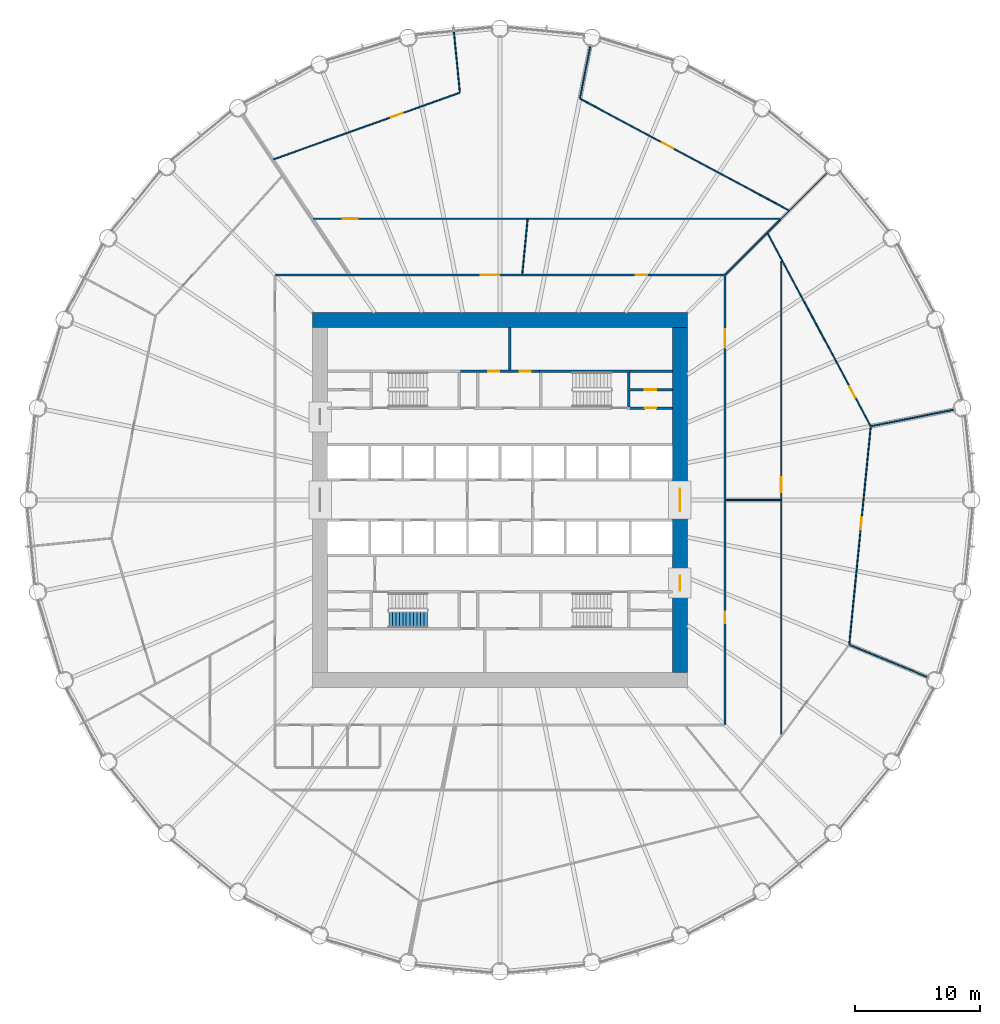
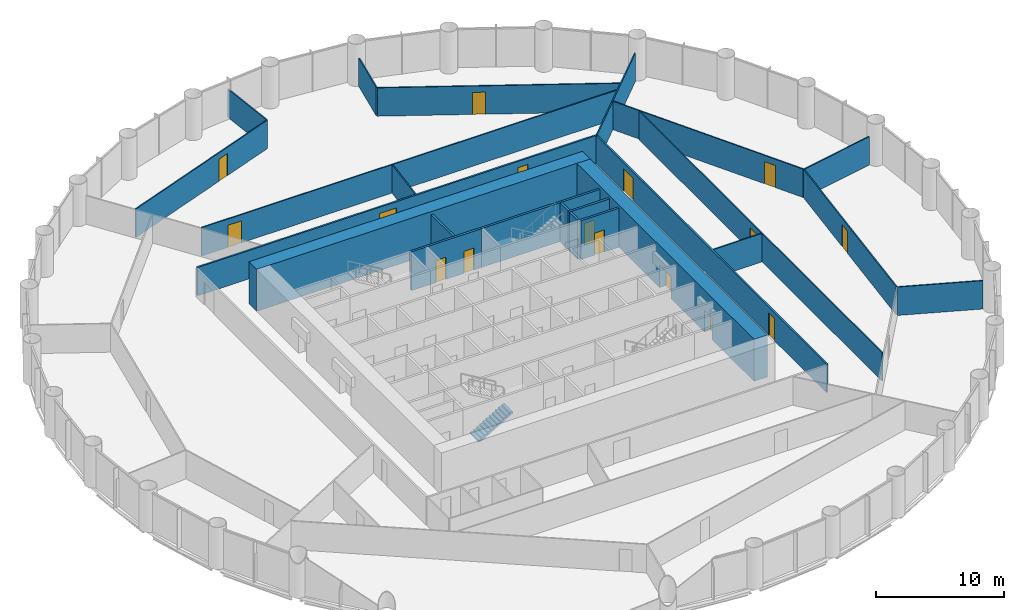
# One storey, part 13 of 15: 25 walls, 16 doors, 1 stair flight, 16 openings, 1 element without a shape of its own.
"""IFC4 building model written with IfcOpenShell, lengths in metres."""

from ifc_helpers import new_model, si_unit, direction, frame, frame_2d, origin, place, context, subcontext, project, spatial, polyline, rectangle, outline, extrude, material, layer, layer_set, type_object, element, fill, aggregate, save


model = new_model("IFC4")

# Units and contexts
model_context = context("Model", 3, precision=1e-05, world=origin(), true_north=direction((0.0, 1.0)))
body_context = subcontext(model_context, "Body", "Model", "MODEL_VIEW")
ifc_project = project(units=[si_unit("LENGTHUNIT", "METRE"), si_unit("AREAUNIT", "SQUARE_METRE"), si_unit("VOLUMEUNIT", "CUBIC_METRE"), si_unit("PLANEANGLEUNIT", "RADIAN"), si_unit("MASSUNIT", "GRAM", prefix="KILO")], contexts=[model_context])

# Site, building, storey
site_placement = place(None, origin())
site = spatial("IfcSite", under=ifc_project, at=site_placement, CompositionType="ELEMENT")
building_placement = place(site_placement, origin())
building = spatial("IfcBuilding", under=site, at=building_placement, Name="Corvane Civic Tower", CompositionType="ELEMENT")
storey_placement = place(building_placement, frame((0.0, 0.0, 41.0)))
storey = spatial("IfcBuildingStorey", under=building, at=storey_placement, Name="L08", CompositionType="ELEMENT", Elevation=41.0)

# Wall
ifc_material_1 = material(Name="Concrete C80/95", Category="concrete")
ifc_layer_1 = layer(ifc_material_1, 1.199951171875)
ifc_layer_set_1 = layer_set([ifc_layer_1], Name="Concrete C80/95")
wall_type_1 = type_object("IfcWallType", Name="CORE WALL 1200 C80/95", PredefinedType="SHEAR", material=ifc_layer_set_1)
wall_1_placement = place(storey_placement, frame((-15.0, 14.39990234375, 0.0), z_axis=(0.0, 0.0, 1.0), x_axis=(1.0, 0.0, 0.0)))
element("IfcWall", 1, at=wall_1_placement, inside=storey, type_object=wall_type_1, Name="W-L08-core-N", PredefinedType="SHEAR", context=body_context, shape_type="SweptSolid", body=[
    extrude(rectangle(XDim=30.0, YDim=1.199951171875, at=frame_2d((15.0, 0.0))), origin(), (0.0, 0.0, 1.0), 4.0),
])

# Wall, openings, doors
wall_2_placement = place(storey_placement, frame((14.39990234375, -13.800048828125, 0.0), z_axis=(0.0, 0.0, 1.0), x_axis=(0.0, 1.0, 0.0)))
wall_2 = element("IfcWall", 2, at=wall_2_placement, inside=storey, type_object=wall_type_1, Name="W-L08-core-E", PredefinedType="SHEAR", context=body_context, shape_type="SweptSolid", body=[
    extrude(rectangle(XDim=27.60009765625, YDim=1.199951171875, at=frame_2d((13.800048828125, 0.0))), origin(), (0.0, 0.0, 1.0), 4.0),
])
opening_1_placement = place(wall_2_placement, frame((12.89990234375, 0.0, 0.0)))
opening_1 = element("IfcOpeningElement", 3, at=opening_1_placement, cuts=wall_2, Name="Opening L08.C27", PredefinedType="OPENING", context=body_context, shape_type="SweptSolid", body=[
    extrude(rectangle(XDim=1.800048828125, YDim=2.10009765625, at=frame_2d((0.89990234375, 1.050048828125))), frame((0.0, 0.60986328125, 0.0), z_axis=(0.0, -1.0, 0.0), x_axis=(1.0, 0.0, 0.0)), (0.0, 0.0, 1.0), 1.219970703125),
])
opening_2_placement = place(wall_2_placement, frame((6.550048828125, 0.0, 0.0)))
opening_2 = element("IfcOpeningElement", 4, at=opening_2_placement, cuts=wall_2, Name="Opening L08.C29", PredefinedType="OPENING", context=body_context, shape_type="SweptSolid", body=[
    extrude(rectangle(XDim=1.199951171875, YDim=2.10009765625, at=frame_2d((0.60009765625, 1.050048828125))), frame((0.0, 0.60986328125, 0.0), z_axis=(0.0, -1.0, 0.0), x_axis=(1.0, 0.0, 0.0)), (0.0, 0.0, 1.0), 1.219970703125),
])
ifc_material_2 = material(Name="Steel fire door leaf", Category="steel")
door_type_1 = type_object("IfcDoorType", Name="CR-DOOR-CORE-1800", OperationType="DOUBLE_DOOR_SINGLE_SWING", PredefinedType="DOOR", material=ifc_material_2)
door_1_placement = place(opening_1_placement, origin())
door_1 = element("IfcDoor", 5, at=door_1_placement, inside=storey, type_object=door_type_1, Name="L08 door", OperationType="DOUBLE_DOOR_SINGLE_SWING", OverallHeight=2.10009765625, OverallWidth=1.800048828125, PredefinedType="DOOR", context=body_context, shape_type="SweptSolid", body=[
    extrude(rectangle(XDim=1.800048828125, YDim=2.10009765625, at=frame_2d((0.89990234375, 1.050048828125))), frame((0.0, 0.02490234375, 0.0), z_axis=(0.0, -1.0, 0.0), x_axis=(1.0, 0.0, 0.0)), (0.0, 0.0, 1.0), 0.050048828125),
])
fill(opening_1, door_1)
door_2_placement = place(opening_2_placement, origin())
door_2 = element("IfcDoor", 6, at=door_2_placement, inside=storey, type_object=door_type_1, Name="L08 door", OperationType="DOUBLE_DOOR_SINGLE_SWING", OverallHeight=2.10009765625, OverallWidth=1.199951171875, PredefinedType="DOOR", context=body_context, shape_type="SweptSolid", body=[
    extrude(rectangle(XDim=1.199951171875, YDim=2.10009765625, at=frame_2d((0.60009765625, 1.050048828125))), frame((0.0, 0.02490234375, 0.0), z_axis=(0.0, -1.0, 0.0), x_axis=(1.0, 0.0, 0.0)), (0.0, 0.0, 1.0), 0.050048828125),
])
fill(opening_2, door_2)

# Wall, opening, door
ifc_material_3 = material(Name="Concrete C30/37", Category="concrete")
ifc_layer_2 = layer(ifc_material_3, 0.199951171875)
ifc_layer_set_2 = layer_set([ifc_layer_2], Name="Concrete C30/37")
wall_type_2 = type_object("IfcWallType", Name="CR-WALL-200", PredefinedType="PARTITIONING", material=ifc_layer_set_2)
wall_3_placement = place(storey_placement, frame((10.39990234375, 7.35009765625, 0.0), z_axis=(0.0, 0.0, 1.0), x_axis=(1.0, 0.0, 0.0)))
wall_3 = element("IfcWall", 7, at=wall_3_placement, inside=storey, type_object=wall_type_2, Name="L08 core partition wall", PredefinedType="PARTITIONING", context=body_context, shape_type="SweptSolid", body=[
    extrude(rectangle(XDim=3.400146484375, YDim=0.199951171875, at=frame_2d((1.7001953125, 0.0))), origin(), (0.0, 0.0, 1.0), 3.699951171875),
])
opening_3_placement = place(wall_3_placement, frame((1.199951171875, 0.0, 0.0)))
opening_3 = element("IfcOpeningElement", 8, at=opening_3_placement, cuts=wall_3, Name="Opening L08.C15", PredefinedType="OPENING", context=body_context, shape_type="SweptSolid", body=[
    extrude(rectangle(XDim=0.89990234375, YDim=2.10009765625, at=frame_2d((0.449951171875, 1.050048828125))), frame((0.0, 0.10986328125, 0.0), z_axis=(0.0, -1.0, 0.0), x_axis=(1.0, 0.0, 0.0)), (0.0, 0.0, 1.0), 0.219970703125),
])
ifc_material_4 = material(Name="Steel fire door leaf", Category="steel")
door_type_2 = type_object("IfcDoorType", Name="CR-DOOR-900", OperationType="SINGLE_SWING_LEFT", PredefinedType="DOOR", material=ifc_material_4)
door_3_placement = place(opening_3_placement, origin())
door_3 = element("IfcDoor", 9, at=door_3_placement, inside=storey, type_object=door_type_2, Name="L08 door", OperationType="SINGLE_SWING_LEFT", OverallHeight=2.10009765625, OverallWidth=0.89990234375, PredefinedType="DOOR", context=body_context, shape_type="SweptSolid", body=[
    extrude(rectangle(XDim=0.89990234375, YDim=2.10009765625, at=frame_2d((0.449951171875, 1.050048828125))), frame((0.0, 0.02490234375, 0.0), z_axis=(0.0, -1.0, 0.0), x_axis=(1.0, 0.0, 0.0)), (0.0, 0.0, 1.0), 0.050048828125),
])
fill(opening_3, door_3)

wall_4_placement = place(storey_placement, frame((10.199951171875, 8.824951171875, 0.0), z_axis=(0.0, 0.0, 1.0), x_axis=(1.0, 0.0, 0.0)))
wall_4 = element("IfcWall", 10, at=wall_4_placement, inside=storey, type_object=wall_type_2, Name="L08 partition wall", PredefinedType="PARTITIONING", context=body_context, shape_type="SweptSolid", body=[
    extrude(rectangle(XDim=3.60009765625, YDim=0.199951171875, at=frame_2d((1.800048828125, 0.0))), origin(), (0.0, 0.0, 1.0), 3.699951171875),
])
opening_4_placement = place(wall_4_placement, frame((1.39990234375, 0.0, 0.0)))
opening_4 = element("IfcOpeningElement", 11, at=opening_4_placement, cuts=wall_4, Name="Opening L08.C16", PredefinedType="OPENING", context=body_context, shape_type="SweptSolid", body=[
    extrude(rectangle(XDim=0.89990234375, YDim=2.10009765625, at=frame_2d((0.449951171875, 1.050048828125))), frame((0.0, 0.10986328125, 0.0), z_axis=(0.0, -1.0, 0.0), x_axis=(1.0, 0.0, 0.0)), (0.0, 0.0, 1.0), 0.219970703125),
])
door_4_placement = place(opening_4_placement, origin())
door_4 = element("IfcDoor", 12, at=door_4_placement, inside=storey, type_object=door_type_2, Name="L08 door", OperationType="SINGLE_SWING_LEFT", OverallHeight=2.10009765625, OverallWidth=0.89990234375, PredefinedType="DOOR", context=body_context, shape_type="SweptSolid", body=[
    extrude(rectangle(XDim=0.89990234375, YDim=2.10009765625, at=frame_2d((0.449951171875, 1.050048828125))), frame((0.0, 0.02490234375, 0.0), z_axis=(0.0, -1.0, 0.0), x_axis=(1.0, 0.0, 0.0)), (0.0, 0.0, 1.0), 0.050048828125),
])
fill(opening_4, door_4)

# Wall, openings, doors
wall_5_placement = place(storey_placement, frame((-3.14990234375, 10.300048828125, 0.0), z_axis=(0.0, 0.0, 1.0), x_axis=(1.0, 0.0, 0.0)))
wall_5 = element("IfcWall", 13, at=wall_5_placement, inside=storey, type_object=wall_type_2, Name="L08 partition wall", PredefinedType="PARTITIONING", context=body_context, shape_type="SweptSolid", body=[
    extrude(rectangle(XDim=6.2998046875, YDim=0.199951171875, at=frame_2d((3.14990234375, 0.0))), origin(), (0.0, 0.0, 1.0), 3.699951171875),
])
opening_5_placement = place(wall_5_placement, frame((2.199951171875, 0.0, 0.0)))
opening_5 = element("IfcOpeningElement", 14, at=opening_5_placement, cuts=wall_5, Name="Opening L08.C06", PredefinedType="OPENING", context=body_context, shape_type="SweptSolid", body=[
    extrude(rectangle(XDim=0.89990234375, YDim=2.10009765625, at=frame_2d((0.449951171875, 1.050048828125))), frame((0.0, 0.10986328125, 0.0), z_axis=(0.0, -1.0, 0.0), x_axis=(1.0, 0.0, 0.0)), (0.0, 0.0, 1.0), 0.219970703125),
])
opening_6_placement = place(wall_5_placement, frame((4.72509765625, 0.0, 0.0)))
opening_6 = element("IfcOpeningElement", 15, at=opening_6_placement, cuts=wall_5, Name="Opening L08.C07", PredefinedType="OPENING", context=body_context, shape_type="SweptSolid", body=[
    extrude(rectangle(XDim=0.89990234375, YDim=2.10009765625, at=frame_2d((0.449951171875, 1.050048828125))), frame((0.0, 0.10986328125, 0.0), z_axis=(0.0, -1.0, 0.0), x_axis=(1.0, 0.0, 0.0)), (0.0, 0.0, 1.0), 0.219970703125),
])
door_5_placement = place(opening_5_placement, origin())
door_5 = element("IfcDoor", 16, at=door_5_placement, inside=storey, type_object=door_type_2, Name="L08 door", OperationType="SINGLE_SWING_LEFT", OverallHeight=2.10009765625, OverallWidth=0.89990234375, PredefinedType="DOOR", context=body_context, shape_type="SweptSolid", body=[
    extrude(rectangle(XDim=0.89990234375, YDim=2.10009765625, at=frame_2d((0.449951171875, 1.050048828125))), frame((0.0, 0.02490234375, 0.0), z_axis=(0.0, -1.0, 0.0), x_axis=(1.0, 0.0, 0.0)), (0.0, 0.0, 1.0), 0.050048828125),
])
fill(opening_5, door_5)
door_6_placement = place(opening_6_placement, origin())
door_6 = element("IfcDoor", 17, at=door_6_placement, inside=storey, type_object=door_type_2, Name="L08 door", OperationType="SINGLE_SWING_LEFT", OverallHeight=2.10009765625, OverallWidth=0.89990234375, PredefinedType="DOOR", context=body_context, shape_type="SweptSolid", body=[
    extrude(rectangle(XDim=0.89990234375, YDim=2.10009765625, at=frame_2d((0.449951171875, 1.050048828125))), frame((0.0, 0.02490234375, 0.0), z_axis=(0.0, -1.0, 0.0), x_axis=(1.0, 0.0, 0.0)), (0.0, 0.0, 1.0), 0.050048828125),
])
fill(opening_6, door_6)

# Walls
wall_6_placement = place(storey_placement, origin())
element("IfcWall", 18, at=wall_6_placement, inside=storey, type_object=wall_type_2, Name="L08 core partition wall", PredefinedType="PARTITIONING", context=body_context, shape_type="SweptSolid", body=[
    extrude(outline(polyline([(0.89990234375, 13.800048828125), (0.89990234375, 10.39990234375), (0.699951171875, 10.39990234375), (0.699951171875, 13.800048828125), (0.89990234375, 13.800048828125)])), origin(), (0.0, 0.0, 1.0), 3.699951171875),
])
wall_7_placement = place(storey_placement, origin())
element("IfcWall", 19, at=wall_7_placement, inside=storey, type_object=wall_type_2, Name="L08 core partition wall", PredefinedType="PARTITIONING", context=body_context, shape_type="SweptSolid", body=[
    extrude(outline(polyline([(10.39990234375, 10.199951171875), (10.39990234375, 10.39990234375), (13.800048828125, 10.39990234375), (13.800048828125, 10.199951171875), (10.39990234375, 10.199951171875)])), origin(), (0.0, 0.0, 1.0), 3.699951171875),
])

# Wall, opening, door
ifc_material_5 = material(Name="Plasterboard")
ifc_layer_3 = layer(ifc_material_5, 0.10009765625)
ifc_layer_set_3 = layer_set([ifc_layer_3], Name="Plasterboard")
wall_type_3 = type_object("IfcWallType", Name="Partition 100 plasterboard on studs", PredefinedType="PARTITIONING", material=ifc_layer_set_3)
wall_8_placement = place(storey_placement, frame((22.5, -18.7548828125, 0.0), z_axis=(0.0, 0.0, 1.0), x_axis=(0.0, 1.0, 0.0)))
wall_8 = element("IfcWall", 20, at=wall_8_placement, inside=storey, type_object=wall_type_3, Name="Partition L08.014", PredefinedType="PARTITIONING", context=body_context, shape_type="SweptSolid", body=[
    extrude(rectangle(XDim=37.850341796875, YDim=0.10009765625, at=frame_2d((18.92529296875, 0.0))), origin(), (0.0, 0.0, 1.0), 2.699951171875),
])
opening_7_placement = place(wall_8_placement, frame((19.369873046875, 0.0, 0.0)))
opening_7 = element("IfcOpeningElement", 21, at=opening_7_placement, cuts=wall_8, Name="Opening L08.004", PredefinedType="OPENING", context=body_context, shape_type="SweptSolid", body=[
    extrude(rectangle(XDim=1.199951171875, YDim=2.10009765625, at=frame_2d((0.60009765625, 1.050048828125))), frame((0.0, 0.06005859375, 0.0), z_axis=(0.0, -1.0, 0.0), x_axis=(1.0, 0.0, 0.0)), (0.0, 0.0, 1.0), 0.1201171875),
])
ifc_material_6 = material(Name="Timber", Category="wood")
door_type_3 = type_object("IfcDoorType", Name="Double door 1200", OperationType="NOTDEFINED", PredefinedType="DOOR", material=ifc_material_6)
door_7_placement = place(opening_7_placement, frame((1.199951171875, 0.0, 0.0), z_axis=(0.0, 0.0, 1.0), x_axis=(-1.0, 0.0, 0.0)))
door_7 = element("IfcDoor", 22, at=door_7_placement, inside=storey, type_object=door_type_3, Name="Door L08.004", OperationType="DOUBLE_DOOR_SINGLE_SWING", OverallHeight=2.10009765625, OverallWidth=1.199951171875, PredefinedType="DOOR", context=body_context, shape_type="SweptSolid", body=[
    extrude(rectangle(XDim=1.199951171875, YDim=2.10009765625, at=frame_2d((0.60009765625, 1.050048828125))), frame((0.0, 0.02490234375, 0.0), z_axis=(0.0, -1.0, 0.0), x_axis=(1.0, 0.0, 0.0)), (0.0, 0.0, 1.0), 0.050048828125),
])
fill(opening_7, door_7)

# Wall
wall_9_placement = place(storey_placement, frame((27.97509765625, -11.587646484375, 0.0), z_axis=(0.0, 0.0, 1.0), x_axis=(0.923875811924, -0.382692414533, 0.0)))
element("IfcWall", 23, at=wall_9_placement, inside=storey, type_object=wall_type_3, Name="Partition L08.020", PredefinedType="PARTITIONING", context=body_context, shape_type="SweptSolid", body=[
    extrude(rectangle(XDim=6.7099609375, YDim=0.10009765625, at=frame_2d((3.35498046875, 0.0))), origin(), (0.0, 0.0, 1.0), 2.699951171875),
])

# Wall, opening, door
wall_10_placement = place(storey_placement, frame((27.942626953125, -11.535888671875, 0.0), z_axis=(0.0, 0.0, 1.0), x_axis=(0.098017280566, 0.99518471286, 0.0)))
wall_10 = element("IfcWall", 24, at=wall_10_placement, inside=storey, type_object=wall_type_3, Name="Partition L08.021", PredefinedType="PARTITIONING", context=body_context, shape_type="SweptSolid", body=[
    extrude(rectangle(XDim=17.48291015625, YDim=0.10009765625, at=frame_2d((8.741455078125, 0.0))), origin(), (0.0, 0.0, 1.0), 2.699951171875),
])
opening_8_placement = place(wall_10_placement, frame((9.19873046875, 0.0, 0.0)))
opening_8 = element("IfcOpeningElement", 25, at=opening_8_placement, cuts=wall_10, Name="Opening L08.002", PredefinedType="OPENING", context=body_context, shape_type="SweptSolid", body=[
    extrude(rectangle(XDim=1.0, YDim=2.10009765625, at=frame_2d((0.5, 1.050048828125))), frame((0.0, 0.06005859375, 0.0), z_axis=(0.0, -1.0, 0.0), x_axis=(1.0, 0.0, 0.0)), (0.0, 0.0, 1.0), 0.1201171875),
])
ifc_material_7 = material(Name="Timber", Category="wood")
door_type_4 = type_object("IfcDoorType", Name="Single door 1000", OperationType="NOTDEFINED", PredefinedType="DOOR", material=ifc_material_7)
door_8_placement = place(opening_8_placement, frame((1.0, 0.0, 0.0), z_axis=(0.0, 0.0, 1.0), x_axis=(-1.0, 0.0, 0.0)))
door_8 = element("IfcDoor", 26, at=door_8_placement, inside=storey, type_object=door_type_4, Name="Door L08.002", OperationType="SINGLE_SWING_LEFT", OverallHeight=2.10009765625, OverallWidth=1.0, PredefinedType="DOOR", context=body_context, shape_type="SweptSolid", body=[
    extrude(rectangle(XDim=1.0, YDim=2.10009765625, at=frame_2d((0.5, 1.050048828125))), frame((0.0, 0.02490234375, 0.0), z_axis=(0.0, -1.0, 0.0), x_axis=(1.0, 0.0, 0.0)), (0.0, 0.0, 1.0), 0.050048828125),
])
fill(opening_8, door_8)

# Walls
wall_11_placement = place(storey_placement, frame((18.074951171875, 0.0, 0.0), z_axis=(0.0, 0.0, 1.0), x_axis=(1.0, 0.0, 0.0)))
element("IfcWall", 27, at=wall_11_placement, inside=storey, type_object=wall_type_3, Name="Partition L08.024", PredefinedType="PARTITIONING", context=body_context, shape_type="SweptSolid", body=[
    extrude(rectangle(XDim=4.375, YDim=0.10009765625, at=frame_2d((2.1875, 0.0))), origin(), (0.0, 0.0, 1.0), 2.699951171875),
])
wall_12_placement = place(storey_placement, frame((29.6962890625, 5.906982421875, 0.0), z_axis=(0.0, 0.0, 1.0), x_axis=(0.980788572794, 0.195073769318, 0.0)))
element("IfcWall", 28, at=wall_12_placement, inside=storey, type_object=wall_type_3, Name="Partition L08.025", PredefinedType="PARTITIONING", context=body_context, shape_type="SweptSolid", body=[
    extrude(rectangle(XDim=6.7119140625, YDim=0.10009765625, at=frame_2d((3.35595703125, 0.0))), origin(), (0.0, 0.0, 1.0), 2.699951171875),
])

# Wall, opening, door
wall_13_placement = place(storey_placement, frame((21.415283203125, 21.32421875, 0.0), z_axis=(0.0, 0.0, 1.0), x_axis=(0.471393967078, -0.881922744804, 0.0)))
wall_13 = element("IfcWall", 29, at=wall_13_placement, inside=storey, type_object=wall_type_3, Name="Partition L08.026", PredefinedType="PARTITIONING", context=body_context, shape_type="SweptSolid", body=[
    extrude(rectangle(XDim=17.45263671875, YDim=0.10009765625, at=frame_2d((8.726318359375, 0.0))), origin(), (0.0, 0.0, 1.0), 2.699951171875),
])
opening_9_placement = place(wall_13_placement, frame((13.89306640625, 0.0, 0.0)))
opening_9 = element("IfcOpeningElement", 30, at=opening_9_placement, cuts=wall_13, Name="Opening L08.001", PredefinedType="OPENING", context=body_context, shape_type="SweptSolid", body=[
    extrude(rectangle(XDim=1.0, YDim=2.10009765625, at=frame_2d((0.5, 1.050048828125))), frame((0.0, 0.06005859375, 0.0), z_axis=(0.0, -1.0, 0.0), x_axis=(1.0, 0.0, 0.0)), (0.0, 0.0, 1.0), 0.1201171875),
])
door_9_placement = place(opening_9_placement, origin())
door_9 = element("IfcDoor", 31, at=door_9_placement, inside=storey, type_object=door_type_4, Name="Door L08.001", OperationType="SINGLE_SWING_RIGHT", OverallHeight=2.10009765625, OverallWidth=1.0, PredefinedType="DOOR", context=body_context, shape_type="SweptSolid", body=[
    extrude(rectangle(XDim=1.0, YDim=2.10009765625, at=frame_2d((0.5, 1.050048828125))), frame((0.0, 0.02490234375, 0.0), z_axis=(0.0, -1.0, 0.0), x_axis=(1.0, 0.0, 0.0)), (0.0, 0.0, 1.0), 0.050048828125),
])
fill(opening_9, door_9)

# Walls
wall_14_placement = place(storey_placement, frame((18.0146484375, 18.0146484375, 0.0), z_axis=(0.0, 0.0, 1.0), x_axis=(0.707106781187, 0.707106781187, 0.0)))
element("IfcWall", 32, at=wall_14_placement, inside=storey, type_object=wall_type_3, Name="Partition L08.030", PredefinedType="PARTITIONING", context=body_context, shape_type="SweptSolid", body=[
    extrude(rectangle(XDim=11.513671875, YDim=0.10009765625, at=frame_2d((5.7568359375, 0.0))), origin(), (0.0, 0.0, 1.0), 2.699951171875),
])
wall_15_placement = place(storey_placement, frame((1.78076171875, 18.079833984375, 0.0), z_axis=(0.0, 0.0, 1.0), x_axis=(0.098015690998, 0.995184869418, 0.0)))
element("IfcWall", 33, at=wall_15_placement, inside=storey, type_object=wall_type_3, Name="Partition L08.031", PredefinedType="PARTITIONING", context=body_context, shape_type="SweptSolid", body=[
    extrude(rectangle(XDim=4.386474609375, YDim=0.10009765625, at=frame_2d((2.193359375, 0.0))), origin(), (0.0, 0.0, 1.0), 2.699951171875),
])

# Wall, opening, door
wall_16_placement = place(storey_placement, frame((-14.9404296875, 22.5, 0.0), z_axis=(0.0, 0.0, 1.0), x_axis=(1.0, 0.0, 0.0)))
wall_16 = element("IfcWall", 34, at=wall_16_placement, inside=storey, type_object=wall_type_3, Name="Partition L08.033", PredefinedType="PARTITIONING", context=body_context, shape_type="SweptSolid", body=[
    extrude(rectangle(XDim=37.31982421875, YDim=0.10009765625, at=frame_2d((18.659912109375, 0.0))), origin(), (0.0, 0.0, 1.0), 2.699951171875),
])
opening_10_placement = place(wall_16_placement, frame((2.369384765625, 0.0, 0.0)))
opening_10 = element("IfcOpeningElement", 35, at=opening_10_placement, cuts=wall_16, Name="Opening L08.022", PredefinedType="OPENING", context=body_context, shape_type="SweptSolid", body=[
    extrude(rectangle(XDim=1.199951171875, YDim=2.10009765625, at=frame_2d((0.60009765625, 1.050048828125))), frame((0.0, 0.06005859375, 0.0), z_axis=(0.0, -1.0, 0.0), x_axis=(1.0, 0.0, 0.0)), (0.0, 0.0, 1.0), 0.1201171875),
])
door_10_placement = place(opening_10_placement, origin())
door_10 = element("IfcDoor", 36, at=door_10_placement, inside=storey, type_object=door_type_3, Name="Door L08.022", OperationType="DOUBLE_DOOR_SINGLE_SWING", OverallHeight=2.10009765625, OverallWidth=1.199951171875, PredefinedType="DOOR", context=body_context, shape_type="SweptSolid", body=[
    extrude(rectangle(XDim=1.199951171875, YDim=2.10009765625, at=frame_2d((0.60009765625, 1.050048828125))), frame((0.0, 0.02490234375, 0.0), z_axis=(0.0, -1.0, 0.0), x_axis=(1.0, 0.0, 0.0)), (0.0, 0.0, 1.0), 0.050048828125),
])
fill(opening_10, door_10)

wall_17_placement = place(storey_placement, frame((6.420654296875, 32.097412109375, 0.0), z_axis=(0.0, 0.0, 1.0), x_axis=(0.881920746375, -0.471397705885, 0.0)))
wall_17 = element("IfcWall", 37, at=wall_17_placement, inside=storey, type_object=wall_type_3, Name="Partition L08.034", PredefinedType="PARTITIONING", context=body_context, shape_type="SweptSolid", body=[
    extrude(rectangle(XDim=18.90576171875, YDim=0.10009765625, at=frame_2d((9.452880859375, 0.0))), origin(), (0.0, 0.0, 1.0), 2.699951171875),
])
opening_11_placement = place(wall_17_placement, frame((7.41845703125, 0.0, 0.0)))
opening_11 = element("IfcOpeningElement", 38, at=opening_11_placement, cuts=wall_17, Name="Opening L08.021", PredefinedType="OPENING", context=body_context, shape_type="SweptSolid", body=[
    extrude(rectangle(XDim=1.0, YDim=2.10009765625, at=frame_2d((0.5, 1.050048828125))), frame((0.0, 0.06005859375, 0.0), z_axis=(0.0, -1.0, 0.0), x_axis=(1.0, 0.0, 0.0)), (0.0, 0.0, 1.0), 0.1201171875),
])
door_11_placement = place(opening_11_placement, origin())
door_11 = element("IfcDoor", 39, at=door_11_placement, inside=storey, type_object=door_type_4, Name="Door L08.021", OperationType="SINGLE_SWING_LEFT", OverallHeight=2.10009765625, OverallWidth=1.0, PredefinedType="DOOR", context=body_context, shape_type="SweptSolid", body=[
    extrude(rectangle(XDim=1.0, YDim=2.10009765625, at=frame_2d((0.5, 1.050048828125))), frame((0.0, 0.02490234375, 0.0), z_axis=(0.0, -1.0, 0.0), x_axis=(1.0, 0.0, 0.0)), (0.0, 0.0, 1.0), 0.050048828125),
])
fill(opening_11, door_11)

wall_18_placement = place(storey_placement, frame((-18.131103515625, 27.2470703125, 0.0), z_axis=(0.0, 0.0, 1.0), x_axis=(0.941544344507, 0.336889072732, 0.0)))
wall_18 = element("IfcWall", 40, at=wall_18_placement, inside=storey, type_object=wall_type_3, Name="Partition L08.035", PredefinedType="PARTITIONING", context=body_context, shape_type="SweptSolid", body=[
    extrude(rectangle(XDim=15.80908203125, YDim=0.10009765625, at=frame_2d((7.904541015625, 0.0))), origin(), (0.0, 0.0, 1.0), 2.699951171875),
])
opening_12_placement = place(wall_18_placement, frame((9.996826171875, 0.0, 0.0)))
opening_12 = element("IfcOpeningElement", 41, at=opening_12_placement, cuts=wall_18, Name="Opening L08.020", PredefinedType="OPENING", context=body_context, shape_type="SweptSolid", body=[
    extrude(rectangle(XDim=1.0, YDim=2.10009765625, at=frame_2d((0.5, 1.050048828125))), frame((0.0, 0.06005859375, 0.0), z_axis=(0.0, -1.0, 0.0), x_axis=(1.0, 0.0, 0.0)), (0.0, 0.0, 1.0), 0.1201171875),
])
door_12_placement = place(opening_12_placement, origin())
door_12 = element("IfcDoor", 42, at=door_12_placement, inside=storey, type_object=door_type_4, Name="Door L08.020", OperationType="SINGLE_SWING_LEFT", OverallHeight=2.10009765625, OverallWidth=1.0, PredefinedType="DOOR", context=body_context, shape_type="SweptSolid", body=[
    extrude(rectangle(XDim=1.0, YDim=2.10009765625, at=frame_2d((0.5, 1.050048828125))), frame((0.0, 0.02490234375, 0.0), z_axis=(0.0, -1.0, 0.0), x_axis=(1.0, 0.0, 0.0)), (0.0, 0.0, 1.0), 0.050048828125),
])
fill(opening_12, door_12)

# Walls
wall_19_placement = place(storey_placement, frame((6.395263671875, 32.151123046875, 0.0), z_axis=(0.0, 0.0, 1.0), x_axis=(0.195067488974, 0.980789821901, 0.0)))
element("IfcWall", 43, at=wall_19_placement, inside=storey, type_object=wall_type_3, Name="Partition L08.036", PredefinedType="PARTITIONING", context=body_context, shape_type="SweptSolid", body=[
    extrude(rectangle(XDim=4.208984375, YDim=0.10009765625, at=frame_2d((2.1044921875, 0.0))), origin(), (0.0, 0.0, 1.0), 2.699951171875),
])
wall_20_placement = place(storey_placement, frame((-3.7197265625, 37.767333984375, 0.0), z_axis=(0.0, 0.0, 1.0), x_axis=(0.097992600074, -0.995187143371, 0.0)))
element("IfcWall", 44, at=wall_20_placement, inside=storey, type_object=wall_type_3, Name="Partition L08.037", PredefinedType="PARTITIONING", context=body_context, shape_type="SweptSolid", body=[
    extrude(rectangle(XDim=5.167236328125, YDim=0.10009765625, at=frame_2d((2.58349609375, 0.0))), origin(), (0.0, 0.0, 1.0), 2.699951171875),
])
ifc_material_8 = material(Name="Concrete C50/60", Category="concrete")
ifc_layer_4 = layer(ifc_material_8, 0.199951171875)
ifc_layer_set_4 = layer_set([ifc_layer_4], Name="Concrete C50/60")
wall_type_4 = type_object("IfcWallType", Name="ST-WALL-200", PredefinedType="SHEAR", material=ifc_layer_set_4)
wall_21_placement = place(storey_placement, origin())
element("IfcWall", 45, at=wall_21_placement, inside=storey, type_object=wall_type_4, Name="L08 stair enclosure wall", PredefinedType="SHEAR", context=body_context, shape_type="SweptSolid", body=[
    extrude(outline(polyline([(10.39990234375, 10.199951171875), (3.14990234375, 10.199951171875), (3.14990234375, 10.39990234375), (10.39990234375, 10.39990234375), (10.39990234375, 10.199951171875)])), origin(), (0.0, 0.0, 1.0), 3.699951171875),
])
wall_22_placement = place(storey_placement, origin())
element("IfcWall", 46, at=wall_22_placement, inside=storey, type_object=wall_type_4, Name="L08 stair enclosure wall", PredefinedType="SHEAR", context=body_context, shape_type="SweptSolid", body=[
    extrude(outline(polyline([(10.39990234375, 8.72509765625), (10.39990234375, 7.449951171875), (10.199951171875, 7.449951171875), (10.199951171875, 8.72509765625), (10.39990234375, 8.72509765625)])), origin(), (0.0, 0.0, 1.0), 3.699951171875),
])
wall_23_placement = place(storey_placement, origin())
element("IfcWall", 47, at=wall_23_placement, inside=storey, type_object=wall_type_4, Name="L08 stair enclosure wall", PredefinedType="SHEAR", context=body_context, shape_type="SweptSolid", body=[
    extrude(outline(polyline([(10.39990234375, 8.925048828125), (10.199951171875, 8.925048828125), (10.199951171875, 10.199951171875), (10.39990234375, 10.199951171875), (10.39990234375, 8.925048828125)])), origin(), (0.0, 0.0, 1.0), 3.699951171875),
])

# Wall, openings, doors
ifc_material_9 = material(Name="Plasterboard")
ifc_layer_5 = layer(ifc_material_9, 0.14990234375)
ifc_layer_set_5 = layer_set([ifc_layer_5], Name="Plasterboard")
wall_type_5 = type_object("IfcWallType", Name="Tenancy wall 150 EI 60", PredefinedType="PARTITIONING", material=ifc_layer_set_5)
wall_24_placement = place(storey_placement, frame((18.0, -17.925048828125, 0.0), z_axis=(0.0, 0.0, 1.0), x_axis=(0.0, 1.0, 0.0)))
wall_24 = element("IfcWall", 48, at=wall_24_placement, inside=storey, type_object=wall_type_5, Name="Partition L08.016", PredefinedType="PARTITIONING", context=body_context, shape_type="SweptSolid", body=[
    extrude(rectangle(XDim=35.85009765625, YDim=0.14990234375, at=frame_2d((17.925048828125, 0.0))), origin(), (0.0, 0.0, 1.0), 2.699951171875),
])
opening_13_placement = place(wall_24_placement, frame((30.099853515625, 0.0, 0.0)))
opening_13 = element("IfcOpeningElement", 49, at=opening_13_placement, cuts=wall_24, Name="Opening L08.005", PredefinedType="OPENING", context=body_context, shape_type="SweptSolid", body=[
    extrude(rectangle(XDim=1.5, YDim=2.10009765625, at=frame_2d((0.75, 1.050048828125))), frame((0.0, 0.0849609375, 0.0), z_axis=(0.0, -1.0, 0.0), x_axis=(1.0, 0.0, 0.0)), (0.0, 0.0, 1.0), 0.169921875),
])
opening_14_placement = place(wall_24_placement, frame((8.083740234375, 0.0, 0.0)))
opening_14 = element("IfcOpeningElement", 50, at=opening_14_placement, cuts=wall_24, Name="Opening L08.006", PredefinedType="OPENING", context=body_context, shape_type="SweptSolid", body=[
    extrude(rectangle(XDim=0.89990234375, YDim=2.10009765625, at=frame_2d((0.449951171875, 1.050048828125))), frame((0.0, 0.0849609375, 0.0), z_axis=(0.0, -1.0, 0.0), x_axis=(1.0, 0.0, 0.0)), (0.0, 0.0, 1.0), 0.169921875),
])
ifc_material_10 = material(Name="Steel and timber", Category="steel")
door_type_5 = type_object("IfcDoorType", Name="Fire door FD30S 900", OperationType="NOTDEFINED", PredefinedType="DOOR", material=ifc_material_10)
door_13_placement = place(opening_14_placement, frame((0.89990234375, 0.0, 0.0), z_axis=(0.0, 0.0, 1.0), x_axis=(-1.0, 0.0, 0.0)))
door_13 = element("IfcDoor", 51, at=door_13_placement, inside=storey, type_object=door_type_5, Name="Door L08.006", OperationType="SINGLE_SWING_LEFT", OverallHeight=2.10009765625, OverallWidth=0.89990234375, PredefinedType="DOOR", context=body_context, shape_type="SweptSolid", body=[
    extrude(rectangle(XDim=0.89990234375, YDim=2.10009765625, at=frame_2d((0.449951171875, 1.050048828125))), frame((0.0, 0.02490234375, 0.0), z_axis=(0.0, -1.0, 0.0), x_axis=(1.0, 0.0, 0.0)), (0.0, 0.0, 1.0), 0.050048828125),
])
fill(opening_14, door_13)
ifc_material_11 = material(Name="Steel and timber", Category="steel")
door_type_6 = type_object("IfcDoorType", Name="Fire door FD60 double 1500", OperationType="NOTDEFINED", PredefinedType="DOOR", material=ifc_material_11)
door_14_placement = place(opening_13_placement, frame((1.5, 0.0, 0.0), z_axis=(0.0, 0.0, 1.0), x_axis=(-1.0, 0.0, 0.0)))
door_14 = element("IfcDoor", 52, at=door_14_placement, inside=storey, type_object=door_type_6, Name="Door L08.005", OperationType="DOUBLE_DOOR_SINGLE_SWING", OverallHeight=2.10009765625, OverallWidth=1.5, PredefinedType="DOOR", context=body_context, shape_type="SweptSolid", body=[
    extrude(rectangle(XDim=1.5, YDim=2.10009765625, at=frame_2d((0.75, 1.050048828125))), frame((0.0, 0.02490234375, 0.0), z_axis=(0.0, -1.0, 0.0), x_axis=(1.0, 0.0, 0.0)), (0.0, 0.0, 1.0), 0.050048828125),
])
fill(opening_13, door_14)

wall_25_placement = place(storey_placement, frame((-17.925048828125, 18.0, 0.0), z_axis=(0.0, 0.0, 1.0), x_axis=(1.0, 0.0, 0.0)))
wall_25 = element("IfcWall", 53, at=wall_25_placement, inside=storey, type_object=wall_type_5, Name="Partition L08.029", PredefinedType="PARTITIONING", context=body_context, shape_type="SweptSolid", body=[
    extrude(rectangle(XDim=35.85009765625, YDim=0.14990234375, at=frame_2d((17.925048828125, 0.0))), origin(), (0.0, 0.0, 1.0), 2.699951171875),
])
opening_15_placement = place(wall_25_placement, frame((16.372314453125, 0.0, 0.0)))
opening_15 = element("IfcOpeningElement", 54, at=opening_15_placement, cuts=wall_25, Name="Opening L08.023", PredefinedType="OPENING", context=body_context, shape_type="SweptSolid", body=[
    extrude(rectangle(XDim=1.5, YDim=2.10009765625, at=frame_2d((0.75, 1.050048828125))), frame((0.0, 0.0849609375, 0.0), z_axis=(0.0, -1.0, 0.0), x_axis=(1.0, 0.0, 0.0)), (0.0, 0.0, 1.0), 0.169921875),
])
opening_16_placement = place(wall_25_placement, frame((28.80078125, 0.0, 0.0)))
opening_16 = element("IfcOpeningElement", 55, at=opening_16_placement, cuts=wall_25, Name="Opening L08.024", PredefinedType="OPENING", context=body_context, shape_type="SweptSolid", body=[
    extrude(rectangle(XDim=0.89990234375, YDim=2.10009765625, at=frame_2d((0.449951171875, 1.050048828125))), frame((0.0, 0.0849609375, 0.0), z_axis=(0.0, -1.0, 0.0), x_axis=(1.0, 0.0, 0.0)), (0.0, 0.0, 1.0), 0.169921875),
])
door_15_placement = place(opening_16_placement, origin())
door_15 = element("IfcDoor", 56, at=door_15_placement, inside=storey, type_object=door_type_5, Name="Door L08.024", OperationType="SINGLE_SWING_LEFT", OverallHeight=2.10009765625, OverallWidth=0.89990234375, PredefinedType="DOOR", context=body_context, shape_type="SweptSolid", body=[
    extrude(rectangle(XDim=0.89990234375, YDim=2.10009765625, at=frame_2d((0.449951171875, 1.050048828125))), frame((0.0, 0.02490234375, 0.0), z_axis=(0.0, -1.0, 0.0), x_axis=(1.0, 0.0, 0.0)), (0.0, 0.0, 1.0), 0.050048828125),
])
fill(opening_16, door_15)
door_16_placement = place(opening_15_placement, origin())
door_16 = element("IfcDoor", 57, at=door_16_placement, inside=storey, type_object=door_type_6, Name="Door L08.023", OperationType="DOUBLE_DOOR_SINGLE_SWING", OverallHeight=2.10009765625, OverallWidth=1.5, PredefinedType="DOOR", context=body_context, shape_type="SweptSolid", body=[
    extrude(rectangle(XDim=1.5, YDim=2.10009765625, at=frame_2d((0.75, 1.050048828125))), frame((0.0, 0.02490234375, 0.0), z_axis=(0.0, -1.0, 0.0), x_axis=(1.0, 0.0, 0.0)), (0.0, 0.0, 1.0), 0.050048828125),
])
fill(opening_15, door_16)

# Stair, stair flight
ifc_material_12 = material(Name="Concrete C40/50", Category="concrete")
stair_type = type_object("IfcStairType", Name="ST-STAIR-HALFTURN", PredefinedType="HALF_TURN_STAIR", material=ifc_material_12)
stair_placement = place(storey_placement, origin())
stair = element("IfcStair", 58, at=stair_placement, inside=storey, type_object=stair_type, Name="L08 Exit stair ST3", PredefinedType="HALF_TURN_STAIR")
ifc_material_13 = material(Name="Concrete C40/50", Category="concrete")
stair_flight_type = type_object("IfcStairFlightType", Name="ST-FLIGHT-RC", PredefinedType="STRAIGHT", material=ifc_material_13)
stair_flight_placement = place(storey_placement, frame((-8.89990234375, -9.550048828125, 0.0), z_axis=(0.0, 0.0, 1.0), x_axis=(1.0, 0.0, 0.0)))
stair_flight = element("IfcStairFlight", 59, at=stair_flight_placement, type_object=stair_flight_type, Name="ST3 flight 1", NumberOfRisers=12, NumberOfTreads=11, PredefinedType="STRAIGHT", RiserHeight=0.166666667, TreadLength=0.28, context=body_context, shape_type="SweptSolid", body=[
    extrude(outline(polyline([(0.0, 0.0), (0.0, 0.166748046875), (0.280029296875, 0.166748046875), (0.280029296875, 0.333251953125), (0.56005859375, 0.333251953125), (0.56005859375, 0.5), (0.840087890625, 0.5), (0.840087890625, 0.666748046875), (1.1201171875, 0.666748046875), (1.1201171875, 0.833251953125), (1.39990234375, 0.833251953125), (1.39990234375, 1.0), (1.679931640625, 1.0), (1.679931640625, 1.166748046875), (1.9599609375, 1.166748046875), (1.9599609375, 1.333251953125), (2.239990234375, 1.333251953125), (2.239990234375, 1.5), (2.52001953125, 1.5), (2.52001953125, 1.666748046875), (2.800048828125, 1.666748046875), (2.800048828125, 1.833251953125), (3.080078125, 1.833251953125), (3.080078125, 2.0), (3.080078125, 1.658935546875), (0.29296875, 0.0), (0.0, 0.0)])), frame((0.0, 0.64990234375, 0.0), z_axis=(0.0, -1.0, 0.0), x_axis=(1.0, 0.0, 0.0)), (0.0, 0.0, 1.0), 1.300048828125),
])
aggregate(stair, [stair_flight])

save(model, "model.ifc")
